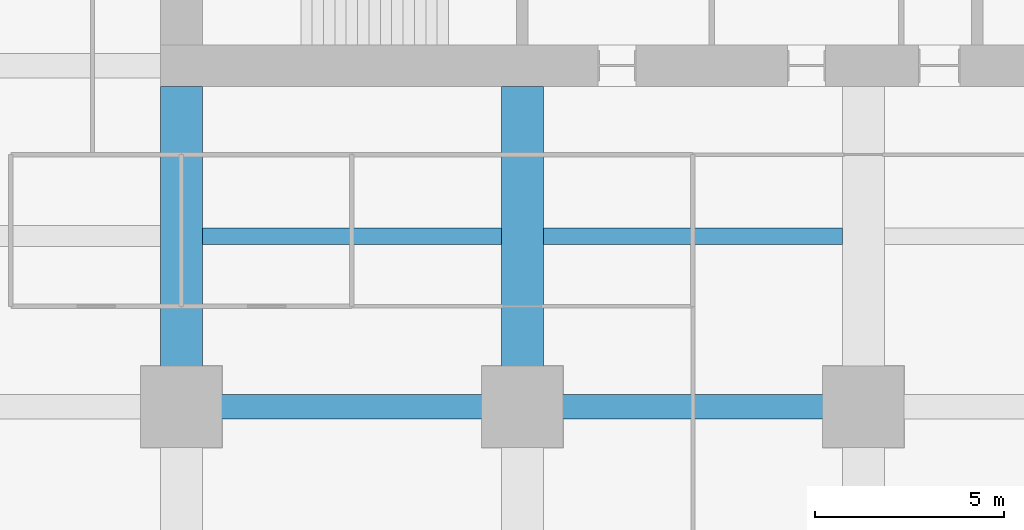
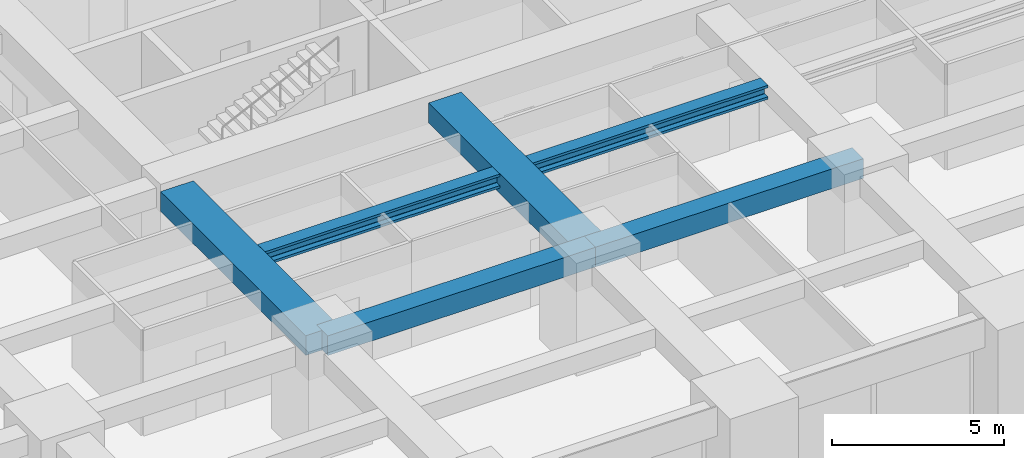
# One storey, part 8 of 44: 6 beams.
"""IFC4 building model written with IfcOpenShell, lengths in metres."""

from ifc_helpers import new_model, si_unit, direction, frame, origin, origin_2d, place, context, subcontext, project, spatial, rectangle, i_section, extrude, material, material_profile, profile_set, type_object, element, save


model = new_model("IFC4")

# Units and contexts
model_context = context("Model", 3, precision=1e-05, world=origin(), true_north=direction((0.0, 1.0)))
body_context = subcontext(model_context, "Body", "Model", "MODEL_VIEW")
ifc_project = project(units=[si_unit("LENGTHUNIT", "METRE"), si_unit("AREAUNIT", "SQUARE_METRE"), si_unit("VOLUMEUNIT", "CUBIC_METRE"), si_unit("PLANEANGLEUNIT", "RADIAN"), si_unit("MASSUNIT", "GRAM", prefix="KILO")], contexts=[model_context])

# Site, building, storey
site_placement = place(None, origin())
site = spatial("IfcSite", under=ifc_project, at=site_placement, CompositionType="ELEMENT")
building_placement = place(site_placement, origin())
building = spatial("IfcBuilding", under=site, at=building_placement, Name="Zorevar Civic Tower", CompositionType="ELEMENT")
storey_placement = place(building_placement, frame((0.0, 0.0, 59.800048828125)))
storey = spatial("IfcBuildingStorey", under=building, at=storey_placement, Name="L14", CompositionType="ELEMENT", Elevation=59.800048828125)

# Beams
ifc_material_1 = material(Name="Concrete C50/60", Category="concrete")
ifc_material_profile_1 = material_profile(ifc_material_1, rectangle(XDim=1.10009765625, YDim=0.699951171875, at=origin_2d()), Name="RC 1100x700")
ifc_profile_set_1 = profile_set([ifc_material_profile_1], Name="Concrete C50/60")
beam_type_1 = type_object("IfcBeamType", Name="Beam RC 1100x700", PredefinedType="BEAM", material=ifc_profile_set_1)
for number, where, z_axis, x_axis, name in (
    (1, (18.0, 9.0, 3.39990234375), (0.0, 1.0, 0.0), (-1.0, 0.0, 0.0), "Girder L15"),
    (2, (27.0, 9.0, 3.39990234375), (0.0, 1.0, 0.0), (-1.0, 0.0, 0.0), "Girder L15"),
):
    element("IfcBeam", number, at=place(storey_placement, frame(where, z_axis=z_axis, x_axis=x_axis)), inside=storey, type_object=beam_type_1, Name=name, PredefinedType="BEAM", context=body_context, shape_type="SweptSolid", body=[
        extrude(rectangle(XDim=1.10009765625, YDim=0.699951171875, at=origin_2d()), origin(), (0.0, 0.0, 1.0), 8.449951171875),
    ])
ifc_material_2 = material(Name="Concrete C50/60", Category="concrete")
ifc_material_profile_2 = material_profile(ifc_material_2, rectangle(XDim=0.64990234375, YDim=0.699951171875, at=origin_2d()), Name="RC 650x700")
ifc_profile_set_2 = profile_set([ifc_material_profile_2], Name="Concrete C50/60")
beam_type_2 = type_object("IfcBeamType", Name="Beam RC 650x700", PredefinedType="BEAM", material=ifc_profile_set_2)
for number, where, z_axis, x_axis, name in (
    (3, (18.0, 9.0, 3.39990234375), (1.0, 0.0, 0.0), (0.0, 1.0, 0.0), "Girder L15"),
    (4, (27.0, 9.0, 3.39990234375), (1.0, 0.0, 0.0), (0.0, 1.0, 0.0), "Girder L15"),
):
    element("IfcBeam", number, at=place(storey_placement, frame(where, z_axis=z_axis, x_axis=x_axis)), inside=storey, type_object=beam_type_2, Name=name, PredefinedType="BEAM", context=body_context, shape_type="SweptSolid", body=[
        extrude(rectangle(XDim=0.64990234375, YDim=0.699951171875, at=origin_2d()), origin(), (0.0, 0.0, 1.0), 9.0),
    ])
ifc_material_3 = material(Name="Steel S460M (HISTAR 460)", Category="steel")
ifc_material_profile_3 = material_profile(ifc_material_3, i_section(OverallWidth=0.431884765625, OverallDepth=0.498046875, WebThickness=0.0556640625, FlangeThickness=0.0888671875, FilletRadius=0.014892578125, at=origin_2d()), Name="HD 400x744")
ifc_profile_set_3 = profile_set([ifc_material_profile_3], Name="Steel S460M (HISTAR 460)")
beam_type_3 = type_object("IfcBeamType", Name="Core bay beam HD 400x744", PredefinedType="BEAM", material=ifc_profile_set_3)
for number, where, z_axis, x_axis, name in (
    (5, (18.550048828125, 13.5, 3.5009765625), (1.0, 0.0, 0.0), (0.0, 1.0, 0.0), "Secondary beam L15"),
    (6, (27.550048828125, 13.5, 3.5009765625), (1.0, 0.0, 0.0), (0.0, 1.0, 0.0), "Secondary beam L15"),
):
    element("IfcBeam", number, at=place(storey_placement, frame(where, z_axis=z_axis, x_axis=x_axis)), inside=storey, type_object=beam_type_3, Name=name, PredefinedType="BEAM", context=body_context, shape_type="SweptSolid", body=[
        extrude(i_section(OverallWidth=0.431884765625, OverallDepth=0.498046875, WebThickness=0.0556640625, FlangeThickness=0.0888671875, FilletRadius=0.014892578125, at=origin_2d()), origin(), (0.0, 0.0, 1.0), 7.89990234375),
    ])

save(model, "model.ifc")
